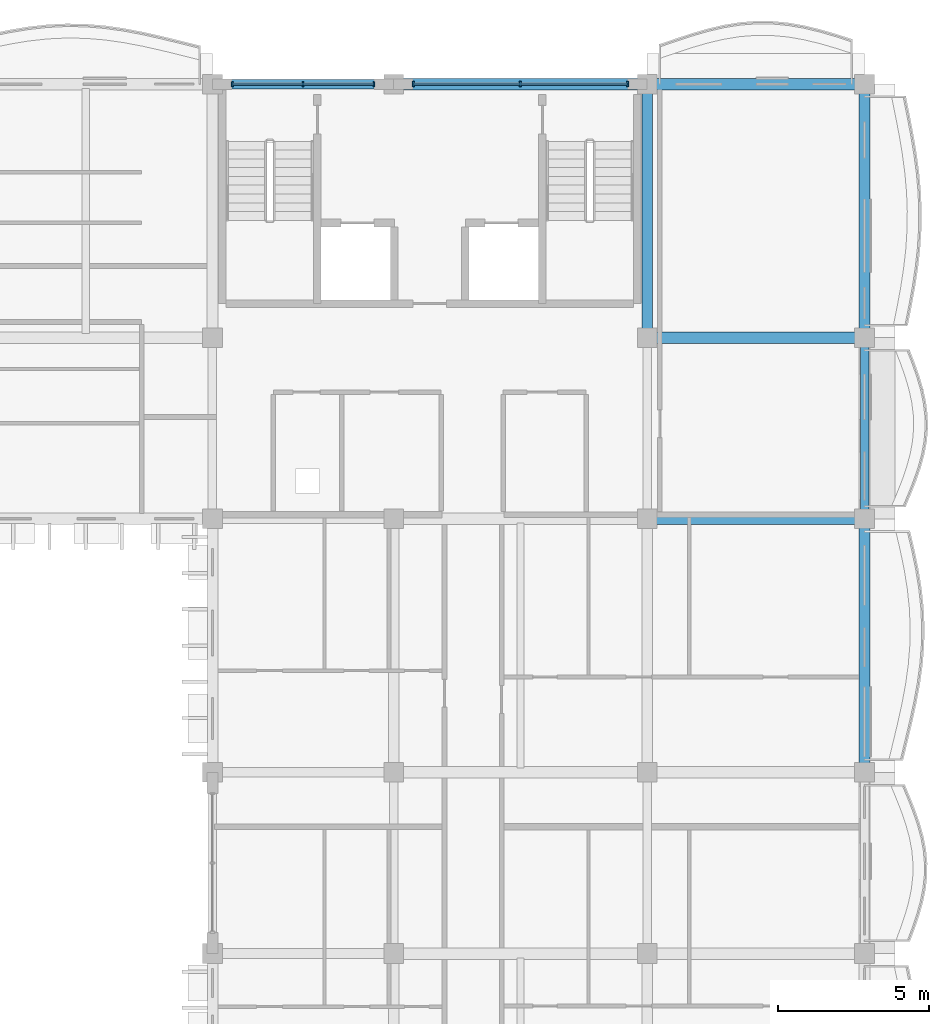
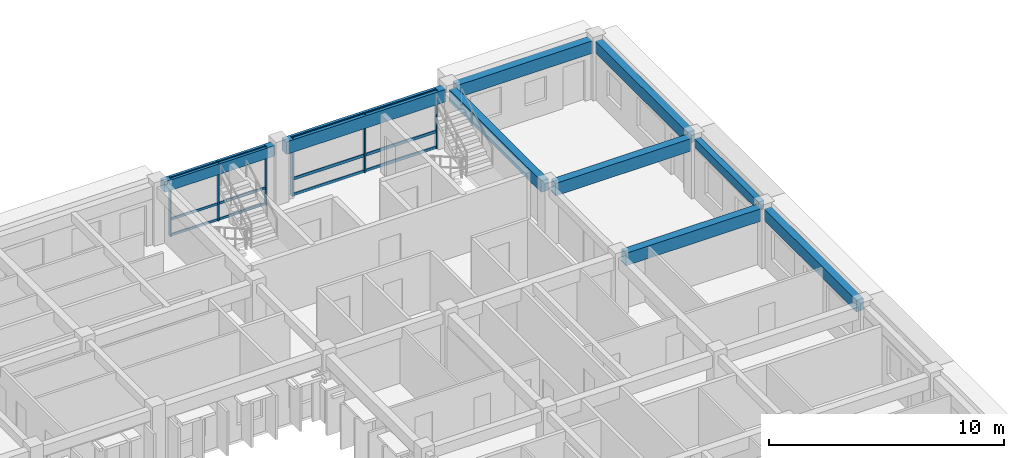
# One storey, part 20 of 79: 12 members, 9 beams, 2 elements without a shape of their own.
"""IFC4 building model written with IfcOpenShell, lengths in metres."""

from ifc_helpers import new_model, si_unit, direction, frame, origin, origin_2d, place, context, subcontext, project, spatial, rectangle, extrude, material, material_profile, profile_set, type_object, element, aggregate, save


model = new_model("IFC4")

# Units and contexts
model_context = context("Model", 3, precision=1e-05, world=origin(), true_north=direction((0.0, 1.0)))
body_context = subcontext(model_context, "Body", "Model", "MODEL_VIEW")
ifc_project = project(units=[si_unit("LENGTHUNIT", "METRE"), si_unit("AREAUNIT", "SQUARE_METRE"), si_unit("VOLUMEUNIT", "CUBIC_METRE"), si_unit("PLANEANGLEUNIT", "RADIAN"), si_unit("MASSUNIT", "GRAM", prefix="KILO"), si_unit("THERMODYNAMICTEMPERATUREUNIT", "KELVIN")], contexts=[model_context])

# Site, building, storey
site_placement = place(None, origin())
site = spatial("IfcSite", under=ifc_project, at=site_placement, CompositionType="ELEMENT")
building_placement = place(site_placement, origin())
building = spatial("IfcBuilding", under=site, at=building_placement, Name="Thalorik Housing Commons", CompositionType="ELEMENT")
storey_placement = place(building_placement, frame((0.0, 0.0, 11.39990234375)))
storey = spatial("IfcBuildingStorey", under=building, at=storey_placement, Name="L03", CompositionType="ELEMENT", Elevation=11.39990234375)

# Curtain wall, members
ifc_material_1 = material(Name="Anodised aluminium and solar-control low-E glass", Category="aluminium")
curtain_wall_type = type_object("IfcCurtainWallType", Name="ARC-CW-CORE", PredefinedType="USERDEFINED", material=ifc_material_1)
curtain_wall_1_placement = place(storey_placement, origin())
curtain_wall_1 = element("IfcCurtainWall", 1, at=curtain_wall_1_placement, inside=storey, type_object=curtain_wall_type, Name="L03 Curtain Wall CW-CORE-L03-B-083", ObjectType="CURTAIN WALL", PredefinedType="USERDEFINED")
ifc_material_2 = material(Name="Anodised aluminium 6063-T6", Category="aluminium")
ifc_material_profile_1 = material_profile(ifc_material_2, rectangle(XDim=0.06005859375, YDim=0.159912109375, at=origin_2d()), Name="ALU MUL 60x160", Category="aluminium")
ifc_profile_set_1 = profile_set([ifc_material_profile_1], Name="Anodised aluminium 6063-T6")
member_type_1 = type_object("IfcMemberType", Name="ARC-CW-MUL-60x160", PredefinedType="MULLION", material=ifc_profile_set_1)
member_1_placement = place(storey_placement, frame((157.75, 123.60009765625, 0.0), z_axis=(0.0, 0.0, 1.0), x_axis=(-1.0, 0.0, 0.0)))
member_1 = element("IfcMember", 2, at=member_1_placement, type_object=member_type_1, Name="CW-CORE-L03-B-083 Mullion 1", PredefinedType="MULLION", context=body_context, shape_type="SweptSolid", body=[
    extrude(rectangle(XDim=0.06005859375, YDim=0.159912109375, at=origin_2d()), origin(), (0.0, 0.0, 1.0), 3.0400390625),
])
member_2_placement = place(storey_placement, frame((155.39990234375, 123.60009765625, 0.0), z_axis=(0.0, 0.0, 1.0), x_axis=(-1.0, 0.0, 0.0)))
member_2 = element("IfcMember", 3, at=member_2_placement, type_object=member_type_1, Name="CW-CORE-L03-B-083 Mullion 2", PredefinedType="MULLION", context=body_context, shape_type="SweptSolid", body=[
    extrude(rectangle(XDim=0.06005859375, YDim=0.159912109375, at=origin_2d()), origin(), (0.0, 0.0, 1.0), 3.0400390625),
])
member_3_placement = place(storey_placement, frame((153.050048828125, 123.60009765625, 0.0), z_axis=(0.0, 0.0, 1.0), x_axis=(-1.0, 0.0, 0.0)))
member_3 = element("IfcMember", 4, at=member_3_placement, type_object=member_type_1, Name="CW-CORE-L03-B-083 Mullion 3", PredefinedType="MULLION", context=body_context, shape_type="SweptSolid", body=[
    extrude(rectangle(XDim=0.06005859375, YDim=0.159912109375, at=origin_2d()), origin(), (0.0, 0.0, 1.0), 3.0400390625),
])

curtain_wall_2_placement = place(storey_placement, origin())
curtain_wall_2 = element("IfcCurtainWall", 5, at=curtain_wall_2_placement, inside=storey, type_object=curtain_wall_type, Name="L03 Curtain Wall CW-CORE-L03-B-082", ObjectType="CURTAIN WALL", PredefinedType="USERDEFINED")
ifc_material_profile_2 = material_profile(ifc_material_2, rectangle(XDim=0.06494140625, YDim=0.179931640625, at=origin_2d()), Name="ALU MUL 65x180", Category="aluminium")
ifc_profile_set_2 = profile_set([ifc_material_profile_2], Name="Anodised aluminium 6063-T6")
member_type_2 = type_object("IfcMemberType", Name="ARC-CW-MUL-65x180", PredefinedType="MULLION", material=ifc_profile_set_2)
member_4_placement = place(storey_placement, frame((166.14990234375, 123.60009765625, 0.0), z_axis=(0.0, 0.0, 1.0), x_axis=(-1.0, 0.0, 0.0)))
member_4 = element("IfcMember", 6, at=member_4_placement, type_object=member_type_2, Name="CW-CORE-L03-B-082 Mullion 1", PredefinedType="MULLION", context=body_context, shape_type="SweptSolid", body=[
    extrude(rectangle(XDim=0.06494140625, YDim=0.179931640625, at=origin_2d()), origin(), (0.0, 0.0, 1.0), 3.0400390625),
])
member_5_placement = place(storey_placement, frame((162.60009765625, 123.60009765625, 0.0), z_axis=(0.0, 0.0, 1.0), x_axis=(-1.0, 0.0, 0.0)))
member_5 = element("IfcMember", 7, at=member_5_placement, type_object=member_type_2, Name="CW-CORE-L03-B-082 Mullion 2", PredefinedType="MULLION", context=body_context, shape_type="SweptSolid", body=[
    extrude(rectangle(XDim=0.06494140625, YDim=0.179931640625, at=origin_2d()), origin(), (0.0, 0.0, 1.0), 3.0400390625),
])
member_6_placement = place(storey_placement, frame((159.050048828125, 123.60009765625, 0.0), z_axis=(0.0, 0.0, 1.0), x_axis=(-1.0, 0.0, 0.0)))
member_6 = element("IfcMember", 8, at=member_6_placement, type_object=member_type_2, Name="CW-CORE-L03-B-082 Mullion 3", PredefinedType="MULLION", context=body_context, shape_type="SweptSolid", body=[
    extrude(rectangle(XDim=0.06494140625, YDim=0.179931640625, at=origin_2d()), origin(), (0.0, 0.0, 1.0), 3.0400390625),
])

# Member
ifc_material_profile_3 = material_profile(ifc_material_2, rectangle(XDim=0.06005859375, YDim=0.1201171875, at=origin_2d()), Name="ALU TRN 60x120", Category="aluminium")
ifc_profile_set_3 = profile_set([ifc_material_profile_3], Name="Anodised aluminium 6063-T6")
member_type_3 = type_object("IfcMemberType", Name="ARC-CW-TRN-60x120", PredefinedType="USERDEFINED", material=ifc_profile_set_3)
member_7_placement = place(storey_placement, frame((157.75, 123.60009765625, 0.05517578125), z_axis=(-1.0, 0.0, 0.0), x_axis=(0.0, -1.0, 0.0)))
member_7 = element("IfcMember", 9, at=member_7_placement, type_object=member_type_3, Name="CW-CORE-L03-B-083 Transom 1", ObjectType="TRANSOM", PredefinedType="USERDEFINED", context=body_context, shape_type="SweptSolid", body=[
    extrude(rectangle(XDim=0.06005859375, YDim=0.1201171875, at=origin_2d()), origin(), (0.0, 0.0, 1.0), 4.699951171875),
])

member_8_placement = place(storey_placement, frame((157.75, 123.60009765625, 0.880126953125), z_axis=(-1.0, 0.0, 0.0), x_axis=(0.0, -1.0, 0.0)))
member_8 = element("IfcMember", 10, at=member_8_placement, type_object=member_type_3, Name="CW-CORE-L03-B-083 Transom 2", ObjectType="TRANSOM", PredefinedType="USERDEFINED", context=body_context, shape_type="SweptSolid", body=[
    extrude(rectangle(XDim=0.06005859375, YDim=0.1201171875, at=origin_2d()), origin(), (0.0, 0.0, 1.0), 4.699951171875),
])

member_9_placement = place(storey_placement, frame((157.75, 123.60009765625, 2.985107421875), z_axis=(-1.0, 0.0, 0.0), x_axis=(0.0, -1.0, 0.0)))
member_9 = element("IfcMember", 11, at=member_9_placement, type_object=member_type_3, Name="CW-CORE-L03-B-083 Transom 3", ObjectType="TRANSOM", PredefinedType="USERDEFINED", context=body_context, shape_type="SweptSolid", body=[
    extrude(rectangle(XDim=0.06005859375, YDim=0.1201171875, at=origin_2d()), origin(), (0.0, 0.0, 1.0), 4.699951171875),
])

aggregate(curtain_wall_1, [member_1, member_2, member_3, member_7, member_8, member_9])

ifc_material_profile_4 = material_profile(ifc_material_2, rectangle(XDim=0.06494140625, YDim=0.14990234375, at=origin_2d()), Name="ALU TRN 65x150", Category="aluminium")
ifc_profile_set_4 = profile_set([ifc_material_profile_4], Name="Anodised aluminium 6063-T6")
member_type_4 = type_object("IfcMemberType", Name="ARC-CW-TRN-65x150", PredefinedType="USERDEFINED", material=ifc_profile_set_4)
member_10_placement = place(storey_placement, frame((166.14990234375, 123.60009765625, 0.05517578125), z_axis=(-1.0, 0.0, 0.0), x_axis=(0.0, -1.0, 0.0)))
member_10 = element("IfcMember", 12, at=member_10_placement, type_object=member_type_4, Name="CW-CORE-L03-B-082 Transom 1", ObjectType="TRANSOM", PredefinedType="USERDEFINED", context=body_context, shape_type="SweptSolid", body=[
    extrude(rectangle(XDim=0.06494140625, YDim=0.14990234375, at=origin_2d()), origin(), (0.0, 0.0, 1.0), 7.099853515625),
])

member_11_placement = place(storey_placement, frame((166.14990234375, 123.60009765625, 0.880126953125), z_axis=(-1.0, 0.0, 0.0), x_axis=(0.0, -1.0, 0.0)))
member_11 = element("IfcMember", 13, at=member_11_placement, type_object=member_type_4, Name="CW-CORE-L03-B-082 Transom 2", ObjectType="TRANSOM", PredefinedType="USERDEFINED", context=body_context, shape_type="SweptSolid", body=[
    extrude(rectangle(XDim=0.06494140625, YDim=0.14990234375, at=origin_2d()), origin(), (0.0, 0.0, 1.0), 7.099853515625),
])

member_12_placement = place(storey_placement, frame((166.14990234375, 123.60009765625, 2.985107421875), z_axis=(-1.0, 0.0, 0.0), x_axis=(0.0, -1.0, 0.0)))
member_12 = element("IfcMember", 14, at=member_12_placement, type_object=member_type_4, Name="CW-CORE-L03-B-082 Transom 3", ObjectType="TRANSOM", PredefinedType="USERDEFINED", context=body_context, shape_type="SweptSolid", body=[
    extrude(rectangle(XDim=0.06494140625, YDim=0.14990234375, at=origin_2d()), origin(), (0.0, 0.0, 1.0), 7.099853515625),
])

aggregate(curtain_wall_2, [member_4, member_5, member_6, member_10, member_11, member_12])

# Beams
ifc_material_3 = material(Name="Precast concrete C40/50", Category="concrete")
ifc_material_profile_5 = material_profile(ifc_material_3, rectangle(XDim=0.280029296875, YDim=0.449951171875, at=origin_2d()), Name="PC 280x450", Category="concrete")
ifc_profile_set_5 = profile_set([ifc_material_profile_5], Name="Precast concrete C40/50")
beam_type_1 = type_object("IfcBeamType", Name="STR-BM-PC280x450", PredefinedType="BEAM", material=ifc_profile_set_5)
beam_1_placement = place(storey_placement, frame((174.0, 109.47509765625, 2.815185546875), z_axis=(0.0, 1.0, 0.0), x_axis=(-1.0, 0.0, 0.0)))
element("IfcBeam", 15, at=beam_1_placement, inside=storey, type_object=beam_type_1, Name="L03 Beam B-450", PredefinedType="BEAM", context=body_context, shape_type="SweptSolid", body=[
    extrude(rectangle(XDim=0.280029296875, YDim=0.449951171875, at=origin_2d()), origin(), (0.0, 0.0, 1.0), 5.449951171875),
])
ifc_material_profile_6 = material_profile(ifc_material_3, rectangle(XDim=0.320068359375, YDim=0.550048828125, at=origin_2d()), Name="PC 320x550", Category="concrete")
ifc_profile_set_6 = profile_set([ifc_material_profile_6], Name="Precast concrete C40/50")
beam_type_2 = type_object("IfcBeamType", Name="STR-BM-PC320x550", PredefinedType="BEAM", material=ifc_profile_set_6)
beam_2_placement = place(storey_placement, frame((152.675048828125, 123.60009765625, 2.76513671875), z_axis=(1.0, 0.0, 0.0), x_axis=(0.0, 1.0, 0.0)))
element("IfcBeam", 16, at=beam_2_placement, inside=storey, type_object=beam_type_2, Name="L03 Beam B-550", PredefinedType="BEAM", context=body_context, shape_type="SweptSolid", body=[
    extrude(rectangle(XDim=0.320068359375, YDim=0.550048828125, at=origin_2d()), origin(), (0.0, 0.0, 1.0), 5.449951171875),
])
ifc_material_profile_7 = material_profile(ifc_material_3, rectangle(XDim=0.35009765625, YDim=0.60009765625, at=origin_2d()), Name="PC 350x600", Category="concrete")
ifc_profile_set_7 = profile_set([ifc_material_profile_7], Name="Precast concrete C40/50")
beam_type_3 = type_object("IfcBeamType", Name="STR-BM-PC350x600", PredefinedType="BEAM", material=ifc_profile_set_7)
beam_3_placement = place(storey_placement, frame((166.800048828125, 115.47509765625, 2.739990234375), z_axis=(0.0, 1.0, 0.0), x_axis=(-1.0, 0.0, 0.0)))
element("IfcBeam", 17, at=beam_3_placement, inside=storey, type_object=beam_type_3, Name="L03 Beam B-600", PredefinedType="BEAM", context=body_context, shape_type="SweptSolid", body=[
    extrude(rectangle(XDim=0.35009765625, YDim=0.60009765625, at=origin_2d()), origin(), (0.0, 0.0, 1.0), 7.849853515625),
])
beam_4_placement = place(storey_placement, frame((174.0, 101.074951171875, 2.739990234375), z_axis=(0.0, 1.0, 0.0), x_axis=(-1.0, 0.0, 0.0)))
element("IfcBeam", 18, at=beam_4_placement, inside=storey, type_object=beam_type_3, Name="L03 Beam B-600", PredefinedType="BEAM", context=body_context, shape_type="SweptSolid", body=[
    extrude(rectangle(XDim=0.35009765625, YDim=0.60009765625, at=origin_2d()), origin(), (0.0, 0.0, 1.0), 7.85009765625),
])
beam_5_placement = place(storey_placement, frame((174.0, 115.47509765625, 2.739990234375), z_axis=(0.0, 1.0, 0.0), x_axis=(-1.0, 0.0, 0.0)))
element("IfcBeam", 19, at=beam_5_placement, inside=storey, type_object=beam_type_3, Name="L03 Beam B-600", PredefinedType="BEAM", context=body_context, shape_type="SweptSolid", body=[
    extrude(rectangle(XDim=0.35009765625, YDim=0.60009765625, at=origin_2d()), origin(), (0.0, 0.0, 1.0), 7.849853515625),
])
ifc_material_profile_8 = material_profile(ifc_material_3, rectangle(XDim=0.3798828125, YDim=0.64990234375, at=origin_2d()), Name="PC 380x650", Category="concrete")
ifc_profile_set_8 = profile_set([ifc_material_profile_8], Name="Precast concrete C40/50")
beam_type_4 = type_object("IfcBeamType", Name="STR-BM-PC380x650", PredefinedType="BEAM", material=ifc_profile_set_8)
for number, where, z_axis, x_axis, name in (
    (20, (167.074951171875, 109.199951171875, 2.715087890625), (1.0, 0.0, 0.0), (0.0, 1.0, 0.0), "L03 Beam B-650"),
    (21, (167.074951171875, 115.199951171875, 2.715087890625), (1.0, 0.0, 0.0), (0.0, 1.0, 0.0), "L03 Beam B-650"),
):
    element("IfcBeam", number, at=place(storey_placement, frame(where, z_axis=z_axis, x_axis=x_axis)), inside=storey, type_object=beam_type_4, Name=name, PredefinedType="BEAM", context=body_context, shape_type="SweptSolid", body=[
        extrude(rectangle(XDim=0.3798828125, YDim=0.64990234375, at=origin_2d()), origin(), (0.0, 0.0, 1.0), 6.650146484375),
    ])
beam_6_placement = place(storey_placement, frame((158.675048828125, 123.60009765625, 2.715087890625), z_axis=(1.0, 0.0, 0.0), x_axis=(0.0, 1.0, 0.0)))
element("IfcBeam", 22, at=beam_6_placement, inside=storey, type_object=beam_type_4, Name="L03 Beam B-650", PredefinedType="BEAM", context=body_context, shape_type="SweptSolid", body=[
    extrude(rectangle(XDim=0.3798828125, YDim=0.64990234375, at=origin_2d()), origin(), (0.0, 0.0, 1.0), 7.849853515625),
])
beam_7_placement = place(storey_placement, frame((167.074951171875, 123.60009765625, 2.715087890625), z_axis=(1.0, 0.0, 0.0), x_axis=(0.0, 1.0, 0.0)))
element("IfcBeam", 23, at=beam_7_placement, inside=storey, type_object=beam_type_4, Name="L03 Beam B-650", PredefinedType="BEAM", context=body_context, shape_type="SweptSolid", body=[
    extrude(rectangle(XDim=0.3798828125, YDim=0.64990234375, at=origin_2d()), origin(), (0.0, 0.0, 1.0), 6.650146484375),
])

save(model, "model.ifc")
